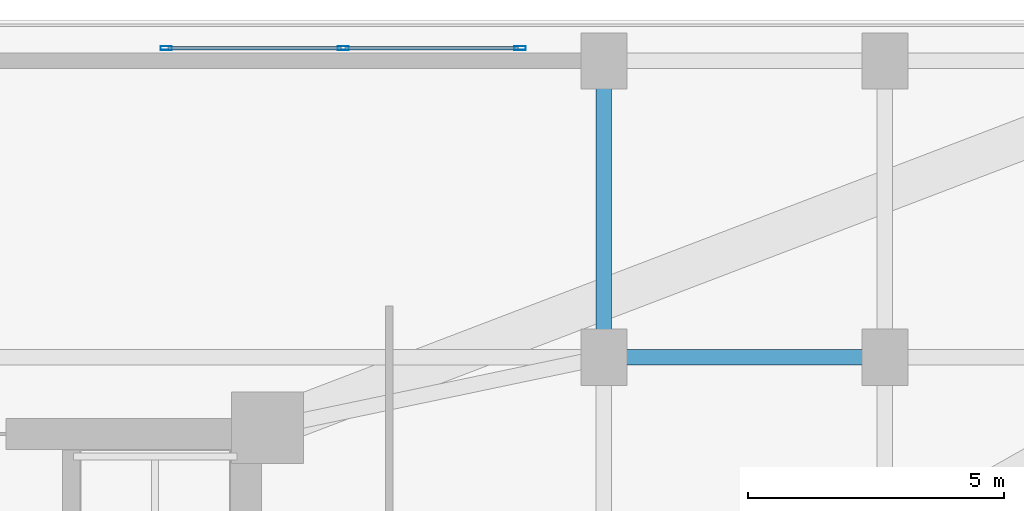
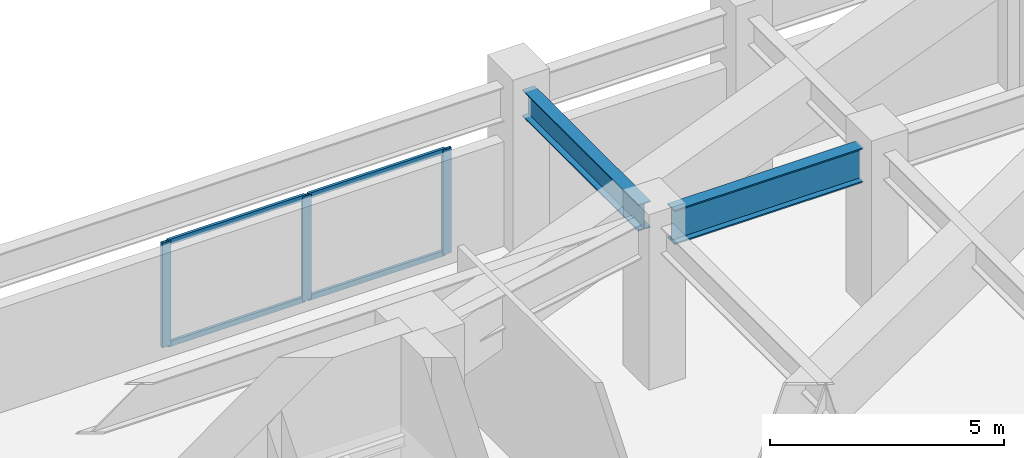
# One storey, part 4 of 9: 7 members, 2 beams, 1 element without a shape of its own.
"""IFC4 building model written with IfcOpenShell, lengths in metres."""

from ifc_helpers import new_model, si_unit, direction, frame, origin, origin_2d, place, context, subcontext, project, spatial, hollow_rectangle, i_section, extrude, material, layer, layer_set, material_profile, profile_set, type_object, element, aggregate, save


model = new_model("IFC4")

# Units and contexts
model_context = context("Model", 3, precision=1e-05, world=origin(), true_north=direction((0.0, 1.0)))
body_context = subcontext(model_context, "Body", "Model", "MODEL_VIEW")
ifc_project = project(units=[si_unit("LENGTHUNIT", "METRE"), si_unit("AREAUNIT", "SQUARE_METRE"), si_unit("VOLUMEUNIT", "CUBIC_METRE"), si_unit("PLANEANGLEUNIT", "RADIAN"), si_unit("MASSUNIT", "GRAM", prefix="KILO")], contexts=[model_context])

# Site, building, storey
site_placement = place(None, origin())
site = spatial("IfcSite", under=ifc_project, at=site_placement, CompositionType="ELEMENT")
building_placement = place(site_placement, origin())
building = spatial("IfcBuilding", under=site, at=building_placement, Name="Varnakorn Sky Granary", CompositionType="ELEMENT")
storey_placement = place(building_placement, frame((0.0, 0.0, 23.0)))
storey = spatial("IfcBuildingStorey", under=building, at=storey_placement, Name="L05", CompositionType="ELEMENT", Elevation=23.0)

# Beams
ifc_material_1 = material(Name="Steel S355JR", Category="steel")
ifc_material_profile_1 = material_profile(ifc_material_1, i_section(OverallWidth=0.300048828125, OverallDepth=0.699951171875, WebThickness=0.01708984375, FlangeThickness=0.031982421875, at=origin_2d()), Name="HE 700 B")
ifc_profile_set_1 = profile_set([ifc_material_profile_1], Name="Steel S355JR")
beam_type_1 = type_object("IfcBeamType", Name="BM-PG-700", PredefinedType="T_BEAM", material=ifc_profile_set_1)
beam_1_placement = place(storey_placement, frame((15.0, 14.419921875, 3.800048828125), z_axis=(0.0, 1.0, 0.0), x_axis=(-1.0, 0.0, 0.0)))
element("IfcBeam", 1, at=beam_1_placement, inside=storey, type_object=beam_type_1, Name="Podium Y-Girder GY26 L05", PredefinedType="T_BEAM", context=body_context, shape_type="SweptSolid", body=[
    extrude(i_section(OverallWidth=0.300048828125, OverallDepth=0.699951171875, WebThickness=0.01708984375, FlangeThickness=0.031982421875, at=origin_2d()), origin(), (0.0, 0.0, 1.0), 4.9599609375),
])
ifc_material_profile_2 = material_profile(ifc_material_1, i_section(OverallWidth=0.300048828125, OverallDepth=0.89990234375, WebThickness=0.0185546875, FlangeThickness=0.034912109375, at=origin_2d()), Name="HE 900 B")
ifc_profile_set_2 = profile_set([ifc_material_profile_2], Name="Steel S355JR")
beam_type_2 = type_object("IfcBeamType", Name="BM-PG-900", PredefinedType="BEAM", material=ifc_profile_set_2)
beam_2_placement = place(storey_placement, frame((15.419921875, 14.0, 3.699951171875), z_axis=(1.0, 0.0, 0.0), x_axis=(0.0, 1.0, 0.0)))
element("IfcBeam", 2, at=beam_2_placement, inside=storey, type_object=beam_type_2, Name="Podium X-Girder GX12 L05", PredefinedType="BEAM", context=body_context, shape_type="SweptSolid", body=[
    extrude(i_section(OverallWidth=0.300048828125, OverallDepth=0.89990234375, WebThickness=0.0185546875, FlangeThickness=0.034912109375, at=origin_2d()), origin(), (0.0, 0.0, 1.0), 4.66015625),
])

# Curtain wall, members
ifc_material_2 = material(Name="Anodised Bronze Aluminium Alloy 6063-T6", Category="aluminium")
ifc_layer = layer(ifc_material_2, 0.2099609375, Name="Anodised Bronze Aluminium Alloy 6063-T6")
ifc_layer_set = layer_set([ifc_layer], Name="Anodised Bronze Aluminium Alloy 6063-T6")
curtain_wall_type = type_object("IfcCurtainWallType", Name="CW-POD-2", PredefinedType="USERDEFINED", material=ifc_layer_set)
curtain_wall_placement = place(storey_placement, origin())
curtain_wall = element("IfcCurtainWall", 3, at=curtain_wall_placement, inside=storey, type_object=curtain_wall_type, Name="Unitised Curtain Wall CW2 CW-L05-P2", ObjectType="CURTAIN WALL", PredefinedType="USERDEFINED")
ifc_material_profile_3 = material_profile(ifc_material_2, hollow_rectangle(XDim=0.074951171875, YDim=0.219970703125, WallThickness=0.00390625, at=origin_2d()), Name="ALU MULL 75x220")
ifc_profile_set_3 = profile_set([ifc_material_profile_3], Name="Anodised Bronze Aluminium Alloy 6063-T6")
member_type_1 = type_object("IfcMemberType", Name="CW-POD-2-MULL", PredefinedType="MULLION", material=ifc_profile_set_3)
member_1_placement = place(storey_placement, frame((6.4375, 20.050048828125, 0.0), z_axis=(0.0, 0.0, 1.0), x_axis=(0.0, 1.0, 0.0)))
member_1 = element("IfcMember", 4, at=member_1_placement, type_object=member_type_1, Name="CW2 mullion 1", PredefinedType="MULLION", context=body_context, shape_type="SweptSolid", body=[
    extrude(hollow_rectangle(XDim=0.074951171875, YDim=0.219970703125, WallThickness=0.00390625, at=origin_2d()), origin(), (0.0, 0.0, 1.0), 2.72998046875),
])
member_2_placement = place(storey_placement, frame((9.89990234375, 20.050048828125, 0.0), z_axis=(0.0, 0.0, 1.0), x_axis=(0.0, 1.0, 0.0)))
member_2 = element("IfcMember", 5, at=member_2_placement, type_object=member_type_1, Name="CW2 mullion 2", PredefinedType="MULLION", context=body_context, shape_type="SweptSolid", body=[
    extrude(hollow_rectangle(XDim=0.074951171875, YDim=0.219970703125, WallThickness=0.00390625, at=origin_2d()), origin(), (0.0, 0.0, 1.0), 2.72998046875),
])
member_3_placement = place(storey_placement, frame((13.362548828125, 20.050048828125, 0.0), z_axis=(0.0, 0.0, 1.0), x_axis=(0.0, 1.0, 0.0)))
member_3 = element("IfcMember", 6, at=member_3_placement, type_object=member_type_1, Name="CW2 mullion 3", PredefinedType="MULLION", context=body_context, shape_type="SweptSolid", body=[
    extrude(hollow_rectangle(XDim=0.074951171875, YDim=0.219970703125, WallThickness=0.00390625, at=origin_2d()), origin(), (0.0, 0.0, 1.0), 2.72998046875),
])
ifc_material_profile_4 = material_profile(ifc_material_2, hollow_rectangle(XDim=0.070068359375, YDim=0.139892578125, WallThickness=0.00341796875, at=origin_2d()), Name="ALU TRAN 70x140")
ifc_profile_set_4 = profile_set([ifc_material_profile_4], Name="Anodised Bronze Aluminium Alloy 6063-T6")
member_type_2 = type_object("IfcMemberType", Name="CW-POD-2-TRAN", PredefinedType="USERDEFINED", material=ifc_profile_set_4)
member_4_placement = place(storey_placement, frame((6.47509765625, 20.050048828125, 0.034912109375), z_axis=(1.0, 0.0, 0.0), x_axis=(0.0, 1.0, 0.0)))
member_4 = element("IfcMember", 7, at=member_4_placement, type_object=member_type_2, Name="CW2 transom 1.1", ObjectType="TRANSOM", PredefinedType="USERDEFINED", context=body_context, shape_type="SweptSolid", body=[
    extrude(hollow_rectangle(XDim=0.070068359375, YDim=0.139892578125, WallThickness=0.00341796875, at=origin_2d()), origin(), (0.0, 0.0, 1.0), 3.387451171875),
])
member_5_placement = place(storey_placement, frame((6.47509765625, 20.050048828125, 2.695068359375), z_axis=(1.0, 0.0, 0.0), x_axis=(0.0, 1.0, 0.0)))
member_5 = element("IfcMember", 8, at=member_5_placement, type_object=member_type_2, Name="CW2 transom 1.2", ObjectType="TRANSOM", PredefinedType="USERDEFINED", context=body_context, shape_type="SweptSolid", body=[
    extrude(hollow_rectangle(XDim=0.070068359375, YDim=0.139892578125, WallThickness=0.00341796875, at=origin_2d()), origin(), (0.0, 0.0, 1.0), 3.387451171875),
])
member_6_placement = place(storey_placement, frame((9.9375, 20.050048828125, 0.034912109375), z_axis=(1.0, 0.0, 0.0), x_axis=(0.0, 1.0, 0.0)))
member_6 = element("IfcMember", 9, at=member_6_placement, type_object=member_type_2, Name="CW2 transom 2.1", ObjectType="TRANSOM", PredefinedType="USERDEFINED", context=body_context, shape_type="SweptSolid", body=[
    extrude(hollow_rectangle(XDim=0.070068359375, YDim=0.139892578125, WallThickness=0.00341796875, at=origin_2d()), origin(), (0.0, 0.0, 1.0), 3.387451171875),
])
member_7_placement = place(storey_placement, frame((9.9375, 20.050048828125, 2.695068359375), z_axis=(1.0, 0.0, 0.0), x_axis=(0.0, 1.0, 0.0)))
member_7 = element("IfcMember", 10, at=member_7_placement, type_object=member_type_2, Name="CW2 transom 2.2", ObjectType="TRANSOM", PredefinedType="USERDEFINED", context=body_context, shape_type="SweptSolid", body=[
    extrude(hollow_rectangle(XDim=0.070068359375, YDim=0.139892578125, WallThickness=0.00341796875, at=origin_2d()), origin(), (0.0, 0.0, 1.0), 3.387451171875),
])
aggregate(curtain_wall, [member_1, member_2, member_3, member_4, member_5, member_6, member_7])

save(model, "model.ifc")
